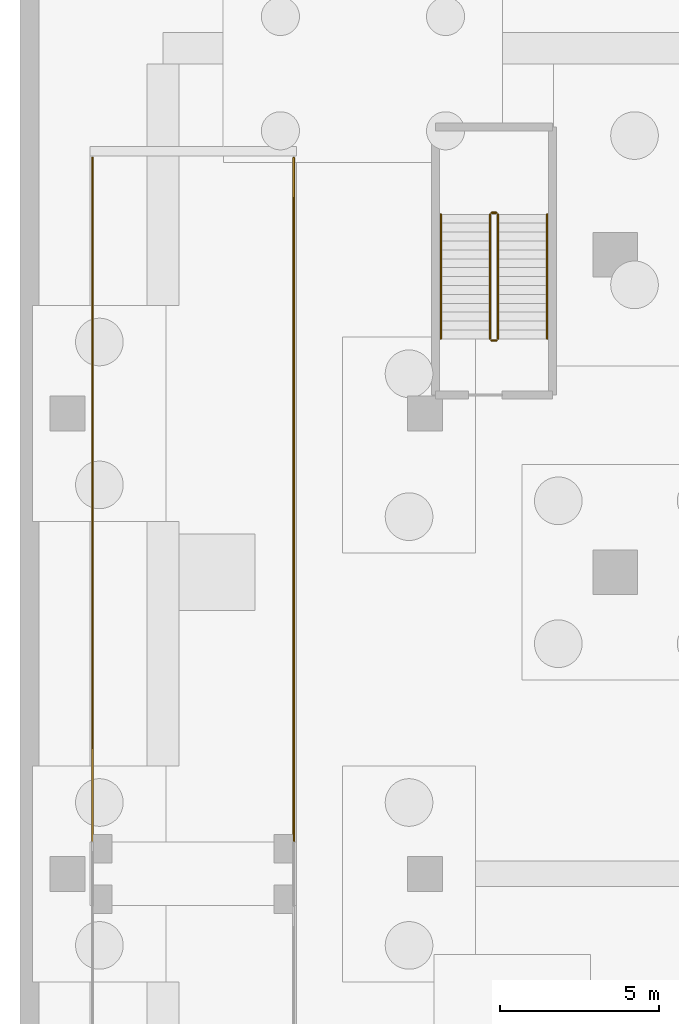
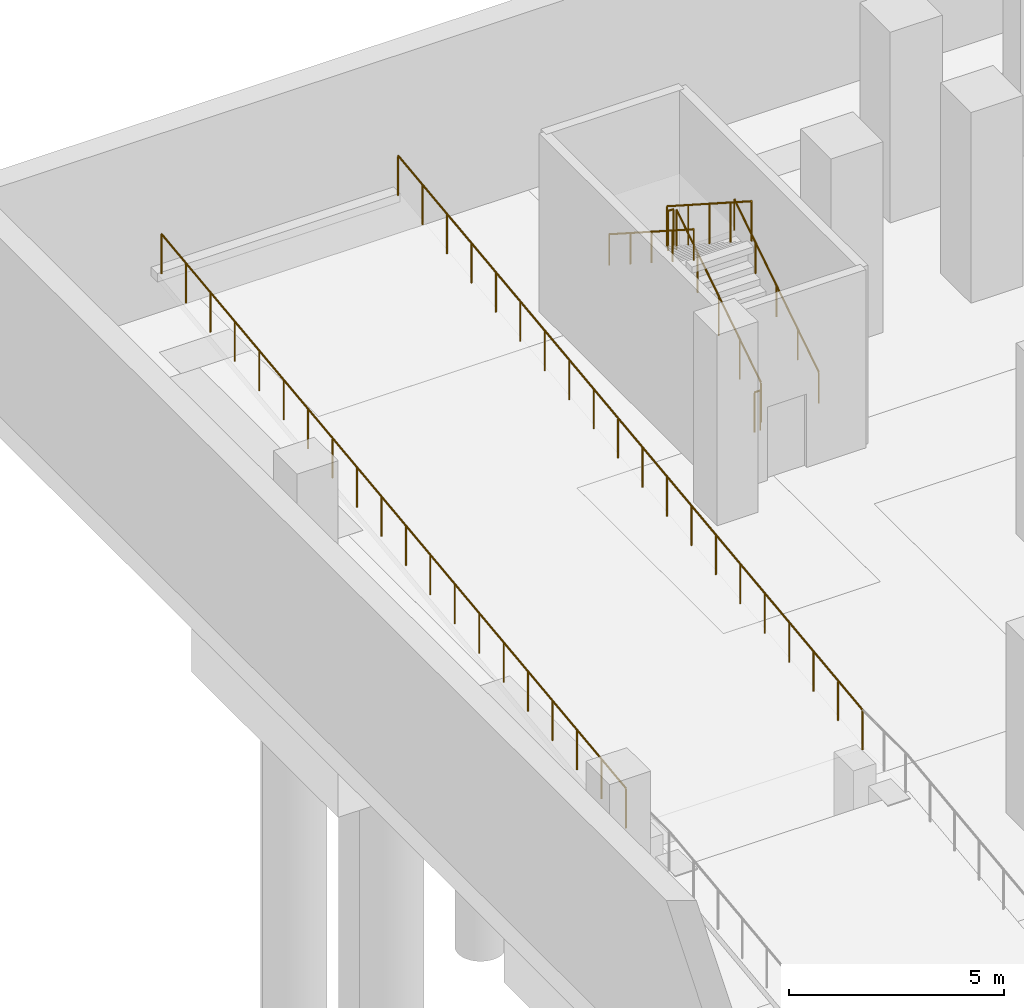
# One storey, part 12 of 16: 8 railings.
"""IFC4 building model written with IfcOpenShell, lengths in metres."""

from ifc_helpers import new_model, si_unit, direction, frame, origin, origin_2d, place, context, subcontext, project, spatial, circle, extrude, material, type_object, element, save


model = new_model("IFC4")

# Units and contexts
model_context = context("Model", 3, precision=1e-05, world=origin(), true_north=direction((0.0, 1.0)))
body_context = subcontext(model_context, "Body", "Model", "MODEL_VIEW")
ifc_project = project(units=[si_unit("LENGTHUNIT", "METRE"), si_unit("AREAUNIT", "SQUARE_METRE"), si_unit("VOLUMEUNIT", "CUBIC_METRE"), si_unit("PLANEANGLEUNIT", "RADIAN"), si_unit("MASSUNIT", "GRAM", prefix="KILO")], contexts=[model_context])

# Site, building, storey
site_placement = place(None, origin())
site = spatial("IfcSite", under=ifc_project, at=site_placement, CompositionType="ELEMENT")
building_placement = place(site_placement, origin())
building = spatial("IfcBuilding", under=site, at=building_placement, Name="Trevonay Congress Spire", CompositionType="ELEMENT")
storey_placement = place(building_placement, frame((0.0, 0.0, -10.800048828125)))
storey = spatial("IfcBuildingStorey", under=building, at=storey_placement, Name="B2", CompositionType="ELEMENT", Elevation=-10.800048828125)

# Railings
ifc_material = material(Name="Pale Anodised Aluminium EN AW-6063-T6", Category="aluminium")
railing_type_1 = type_object("IfcRailingType", Name="RAL-EXT-GUARD-115", PredefinedType="GUARDRAIL", material=ifc_material)
railing_1_placement = place(storey_placement, frame((-39.719970703125, 1.0, 2.77001953125)))
element("IfcRailing", 1, at=railing_1_placement, inside=storey, type_object=railing_type_1, Name="B2 perimeter safety guard GRD-B2-RMP-W-3", PredefinedType="GUARDRAIL", context=body_context, shape_type="SweptSolid", body=[
    extrude(circle(Radius=0.02392578125, at=origin_2d()), frame((0.0, 0.0, 1.1259765625), z_axis=(0.0, 0.992634403414, 0.121148426152), x_axis=(-1.0, 0.0, 0.0)), (0.0, 0.0, 1.0), 21.7099609375),
    extrude(circle(Radius=0.02099609375, at=origin_2d()), origin(), (0.0, 0.0, 1.0), 1.101806640625),
    extrude(circle(Radius=0.02099609375, at=origin_2d()), frame((0.0, 1.13427734375, 0.138427734375)), (0.0, 0.0, 1.0), 1.101806640625),
    extrude(circle(Radius=0.02099609375, at=origin_2d()), frame((0.0, 2.268310546875, 0.27685546875)), (0.0, 0.0, 1.0), 1.101806640625),
    extrude(circle(Radius=0.02099609375, at=origin_2d()), frame((0.0, 3.402587890625, 0.415283203125)), (0.0, 0.0, 1.0), 1.101806640625),
    extrude(circle(Radius=0.02099609375, at=origin_2d()), frame((0.0, 4.536865234375, 0.5537109375)), (0.0, 0.0, 1.0), 1.101806640625),
    extrude(circle(Radius=0.02099609375, at=origin_2d()), frame((0.0, 5.671142578125, 0.692138671875)), (0.0, 0.0, 1.0), 1.101806640625),
    extrude(circle(Radius=0.02099609375, at=origin_2d()), frame((0.0, 6.80517578125, 0.83056640625)), (0.0, 0.0, 1.0), 1.101806640625),
    extrude(circle(Radius=0.02099609375, at=origin_2d()), frame((0.0, 7.939453125, 0.968994140625)), (0.0, 0.0, 1.0), 1.101806640625),
    extrude(circle(Radius=0.02099609375, at=origin_2d()), frame((0.0, 9.07373046875, 1.107421875)), (0.0, 0.0, 1.0), 1.101806640625),
    extrude(circle(Radius=0.02099609375, at=origin_2d()), frame((0.0, 10.2080078125, 1.245849609375)), (0.0, 0.0, 1.0), 1.101806640625),
    extrude(circle(Radius=0.02099609375, at=origin_2d()), frame((0.0, 11.342041015625, 1.38427734375)), (0.0, 0.0, 1.0), 1.101806640625),
    extrude(circle(Radius=0.02099609375, at=origin_2d()), frame((0.0, 12.476318359375, 1.522705078125)), (0.0, 0.0, 1.0), 1.101806640625),
    extrude(circle(Radius=0.02099609375, at=origin_2d()), frame((0.0, 13.610595703125, 1.6611328125)), (0.0, 0.0, 1.0), 1.101806640625),
    extrude(circle(Radius=0.02099609375, at=origin_2d()), frame((0.0, 14.744873046875, 1.799560546875)), (0.0, 0.0, 1.0), 1.101806640625),
    extrude(circle(Radius=0.02099609375, at=origin_2d()), frame((0.0, 15.87890625, 1.93798828125)), (0.0, 0.0, 1.0), 1.101806640625),
    extrude(circle(Radius=0.02099609375, at=origin_2d()), frame((0.0, 17.01318359375, 2.076416015625)), (0.0, 0.0, 1.0), 1.101806640625),
    extrude(circle(Radius=0.02099609375, at=origin_2d()), frame((0.0, 18.1474609375, 2.21484375)), (0.0, 0.0, 1.0), 1.101806640625),
    extrude(circle(Radius=0.02099609375, at=origin_2d()), frame((0.0, 19.28173828125, 2.353271484375)), (0.0, 0.0, 1.0), 1.101806640625),
    extrude(circle(Radius=0.02099609375, at=origin_2d()), frame((0.0, 20.415771484375, 2.49169921875)), (0.0, 0.0, 1.0), 1.101806640625),
    extrude(circle(Radius=0.02099609375, at=origin_2d()), frame((0.0, 21.550048828125, 2.630126953125)), (0.0, 0.0, 1.0), 1.101806640625),
])
railing_2_placement = place(storey_placement, frame((-33.3798828125, 1.0, 2.77001953125)))
element("IfcRailing", 2, at=railing_2_placement, inside=storey, type_object=railing_type_1, Name="B2 perimeter safety guard GRD-B2-RMP-E-3", PredefinedType="GUARDRAIL", context=body_context, shape_type="SweptSolid", body=[
    extrude(circle(Radius=0.02392578125, at=origin_2d()), frame((0.0, 0.0, 1.1259765625), z_axis=(0.0, 0.992634403414, 0.121148426152), x_axis=(-1.0, 0.0, 0.0)), (0.0, 0.0, 1.0), 21.7099609375),
    extrude(circle(Radius=0.02099609375, at=origin_2d()), origin(), (0.0, 0.0, 1.0), 1.101806640625),
    extrude(circle(Radius=0.02099609375, at=origin_2d()), frame((0.0, 1.13427734375, 0.138427734375)), (0.0, 0.0, 1.0), 1.101806640625),
    extrude(circle(Radius=0.02099609375, at=origin_2d()), frame((0.0, 2.268310546875, 0.27685546875)), (0.0, 0.0, 1.0), 1.101806640625),
    extrude(circle(Radius=0.02099609375, at=origin_2d()), frame((0.0, 3.402587890625, 0.415283203125)), (0.0, 0.0, 1.0), 1.101806640625),
    extrude(circle(Radius=0.02099609375, at=origin_2d()), frame((0.0, 4.536865234375, 0.5537109375)), (0.0, 0.0, 1.0), 1.101806640625),
    extrude(circle(Radius=0.02099609375, at=origin_2d()), frame((0.0, 5.671142578125, 0.692138671875)), (0.0, 0.0, 1.0), 1.101806640625),
    extrude(circle(Radius=0.02099609375, at=origin_2d()), frame((0.0, 6.80517578125, 0.83056640625)), (0.0, 0.0, 1.0), 1.101806640625),
    extrude(circle(Radius=0.02099609375, at=origin_2d()), frame((0.0, 7.939453125, 0.968994140625)), (0.0, 0.0, 1.0), 1.101806640625),
    extrude(circle(Radius=0.02099609375, at=origin_2d()), frame((0.0, 9.07373046875, 1.107421875)), (0.0, 0.0, 1.0), 1.101806640625),
    extrude(circle(Radius=0.02099609375, at=origin_2d()), frame((0.0, 10.2080078125, 1.245849609375)), (0.0, 0.0, 1.0), 1.101806640625),
    extrude(circle(Radius=0.02099609375, at=origin_2d()), frame((0.0, 11.342041015625, 1.38427734375)), (0.0, 0.0, 1.0), 1.101806640625),
    extrude(circle(Radius=0.02099609375, at=origin_2d()), frame((0.0, 12.476318359375, 1.522705078125)), (0.0, 0.0, 1.0), 1.101806640625),
    extrude(circle(Radius=0.02099609375, at=origin_2d()), frame((0.0, 13.610595703125, 1.6611328125)), (0.0, 0.0, 1.0), 1.101806640625),
    extrude(circle(Radius=0.02099609375, at=origin_2d()), frame((0.0, 14.744873046875, 1.799560546875)), (0.0, 0.0, 1.0), 1.101806640625),
    extrude(circle(Radius=0.02099609375, at=origin_2d()), frame((0.0, 15.87890625, 1.93798828125)), (0.0, 0.0, 1.0), 1.101806640625),
    extrude(circle(Radius=0.02099609375, at=origin_2d()), frame((0.0, 17.01318359375, 2.076416015625)), (0.0, 0.0, 1.0), 1.101806640625),
    extrude(circle(Radius=0.02099609375, at=origin_2d()), frame((0.0, 18.1474609375, 2.21484375)), (0.0, 0.0, 1.0), 1.101806640625),
    extrude(circle(Radius=0.02099609375, at=origin_2d()), frame((0.0, 19.28173828125, 2.353271484375)), (0.0, 0.0, 1.0), 1.101806640625),
    extrude(circle(Radius=0.02099609375, at=origin_2d()), frame((0.0, 20.415771484375, 2.49169921875)), (0.0, 0.0, 1.0), 1.101806640625),
    extrude(circle(Radius=0.02099609375, at=origin_2d()), frame((0.0, 21.550048828125, 2.630126953125)), (0.0, 0.0, 1.0), 1.101806640625),
])
railing_type_2 = type_object("IfcRailingType", Name="RAL-STAIR-GUARD-110", PredefinedType="GUARDRAIL", material=ifc_material)
railing_3_placement = place(storey_placement, frame((-26.949951171875, 16.85009765625, 0.179931640625)))
element("IfcRailing", 3, at=railing_3_placement, inside=storey, type_object=railing_type_2, Name="B2 ST-5 stair guard 1", PredefinedType="GUARDRAIL", context=body_context, shape_type="SweptSolid", body=[
    extrude(circle(Radius=0.02392578125, at=origin_2d()), frame((0.0, 0.0, 1.1259765625), z_axis=(0.0, 0.841171666519, 0.540768182723), x_axis=(-1.0, 0.0, 0.0)), (0.0, 0.0, 1.0), 4.66015625),
    extrude(circle(Radius=0.02099609375, at=origin_2d()), origin(), (0.0, 0.0, 1.0), 1.101806640625),
    extrude(circle(Radius=0.02099609375, at=origin_2d()), frame((0.0, 0.97998046875, 0.6298828125)), (0.0, 0.0, 1.0), 1.101806640625),
    extrude(circle(Radius=0.02099609375, at=origin_2d()), frame((0.0, 1.9599609375, 1.260009765625)), (0.0, 0.0, 1.0), 1.101806640625),
    extrude(circle(Radius=0.02099609375, at=origin_2d()), frame((0.0, 2.93994140625, 1.89013671875)), (0.0, 0.0, 1.0), 1.101806640625),
    extrude(circle(Radius=0.02099609375, at=origin_2d()), frame((0.0, 3.919921875, 2.52001953125)), (0.0, 0.0, 1.0), 1.101806640625),
])
railing_4_placement = place(storey_placement, frame((-27.0, 20.820068359375, 2.699951171875)))
element("IfcRailing", 4, at=railing_4_placement, inside=storey, type_object=railing_type_2, Name="B2 ST-5 stair guard 2", PredefinedType="GUARDRAIL", context=body_context, shape_type="SweptSolid", body=[
    extrude(circle(Radius=0.02392578125, at=origin_2d()), frame((0.0, 0.0, 1.1259765625), z_axis=(-1.0, 0.0, 0.0), x_axis=(0.0, -1.0, 0.0)), (0.0, 0.0, 1.0), 0.14990234375),
    extrude(circle(Radius=0.02099609375, at=origin_2d()), origin(), (0.0, 0.0, 1.0), 1.101806640625),
    extrude(circle(Radius=0.02099609375, at=origin_2d()), frame((-0.14990234375, 0.0, 0.0)), (0.0, 0.0, 1.0), 1.101806640625),
])
railing_5_placement = place(storey_placement, frame((-27.199951171875, 20.77001953125, 2.880126953125)))
element("IfcRailing", 5, at=railing_5_placement, inside=storey, type_object=railing_type_2, Name="B2 ST-5 stair guard 3", PredefinedType="GUARDRAIL", context=body_context, shape_type="SweptSolid", body=[
    extrude(circle(Radius=0.02392578125, at=origin_2d()), frame((0.0, 0.0, 1.1259765625), z_axis=(0.0, -0.841171666519, 0.540768182723), x_axis=(1.0, 0.0, 0.0)), (0.0, 0.0, 1.0), 4.66015625),
    extrude(circle(Radius=0.02099609375, at=origin_2d()), origin(), (0.0, 0.0, 1.0), 1.101806640625),
    extrude(circle(Radius=0.02099609375, at=origin_2d()), frame((0.0, -0.97998046875, 0.6298828125)), (0.0, 0.0, 1.0), 1.101806640625),
    extrude(circle(Radius=0.02099609375, at=origin_2d()), frame((0.0, -1.9599609375, 1.260009765625)), (0.0, 0.0, 1.0), 1.101806640625),
    extrude(circle(Radius=0.02099609375, at=origin_2d()), frame((0.0, -2.93994140625, 1.89013671875)), (0.0, 0.0, 1.0), 1.101806640625),
    extrude(circle(Radius=0.02099609375, at=origin_2d()), frame((0.0, -3.919921875, 2.52001953125)), (0.0, 0.0, 1.0), 1.101806640625),
])
railing_6_placement = place(storey_placement, frame((-27.0, 16.800048828125, 0.0)))
element("IfcRailing", 6, at=railing_6_placement, inside=storey, type_object=railing_type_2, Name="B2 ST-5 stair guard 4", PredefinedType="GUARDRAIL", context=body_context, shape_type="SweptSolid", body=[
    extrude(circle(Radius=0.02392578125, at=origin_2d()), frame((0.0, 0.0, 1.1259765625), z_axis=(-1.0, 0.0, 0.0), x_axis=(0.0, -1.0, 0.0)), (0.0, 0.0, 1.0), 0.14990234375),
    extrude(circle(Radius=0.02099609375, at=origin_2d()), origin(), (0.0, 0.0, 1.0), 1.101806640625),
    extrude(circle(Radius=0.02099609375, at=origin_2d()), frame((-0.14990234375, 0.0, 0.0)), (0.0, 0.0, 1.0), 1.101806640625),
])
railing_type_3 = type_object("IfcRailingType", Name="RAL-STAIR-HANDRAIL", PredefinedType="HANDRAIL", material=ifc_material)
railing_7_placement = place(storey_placement, frame((-25.39990234375, 16.85009765625, 0.179931640625)))
element("IfcRailing", 7, at=railing_7_placement, inside=storey, type_object=railing_type_3, Name="B2 ST-5 stair handrail 1", PredefinedType="HANDRAIL", context=body_context, shape_type="SweptSolid", body=[
    extrude(circle(Radius=0.02392578125, at=origin_2d()), frame((0.0, 0.0, 0.8759765625), z_axis=(0.0, 0.841171666519, 0.540768182723), x_axis=(-1.0, 0.0, 0.0)), (0.0, 0.0, 1.0), 4.66015625),
    extrude(circle(Radius=0.02099609375, at=origin_2d()), origin(), (0.0, 0.0, 1.0), 0.851806640625),
    extrude(circle(Radius=0.02099609375, at=origin_2d()), frame((0.0, 0.97998046875, 0.6298828125)), (0.0, 0.0, 1.0), 0.851806640625),
    extrude(circle(Radius=0.02099609375, at=origin_2d()), frame((0.0, 1.9599609375, 1.260009765625)), (0.0, 0.0, 1.0), 0.851806640625),
    extrude(circle(Radius=0.02099609375, at=origin_2d()), frame((0.0, 2.93994140625, 1.89013671875)), (0.0, 0.0, 1.0), 0.851806640625),
    extrude(circle(Radius=0.02099609375, at=origin_2d()), frame((0.0, 3.919921875, 2.52001953125)), (0.0, 0.0, 1.0), 0.851806640625),
])
railing_8_placement = place(storey_placement, frame((-28.75, 20.77001953125, 2.880126953125)))
element("IfcRailing", 8, at=railing_8_placement, inside=storey, type_object=railing_type_3, Name="B2 ST-5 stair handrail 2", PredefinedType="HANDRAIL", context=body_context, shape_type="SweptSolid", body=[
    extrude(circle(Radius=0.02392578125, at=origin_2d()), frame((0.0, 0.0, 0.8759765625), z_axis=(0.0, -0.841171666519, 0.540768182723), x_axis=(1.0, 0.0, 0.0)), (0.0, 0.0, 1.0), 4.66015625),
    extrude(circle(Radius=0.02099609375, at=origin_2d()), origin(), (0.0, 0.0, 1.0), 0.851806640625),
    extrude(circle(Radius=0.02099609375, at=origin_2d()), frame((0.0, -0.97998046875, 0.6298828125)), (0.0, 0.0, 1.0), 0.851806640625),
    extrude(circle(Radius=0.02099609375, at=origin_2d()), frame((0.0, -1.9599609375, 1.260009765625)), (0.0, 0.0, 1.0), 0.851806640625),
    extrude(circle(Radius=0.02099609375, at=origin_2d()), frame((0.0, -2.93994140625, 1.89013671875)), (0.0, 0.0, 1.0), 0.851806640625),
    extrude(circle(Radius=0.02099609375, at=origin_2d()), frame((0.0, -3.919921875, 2.52001953125)), (0.0, 0.0, 1.0), 0.851806640625),
])

save(model, "model.ifc")
